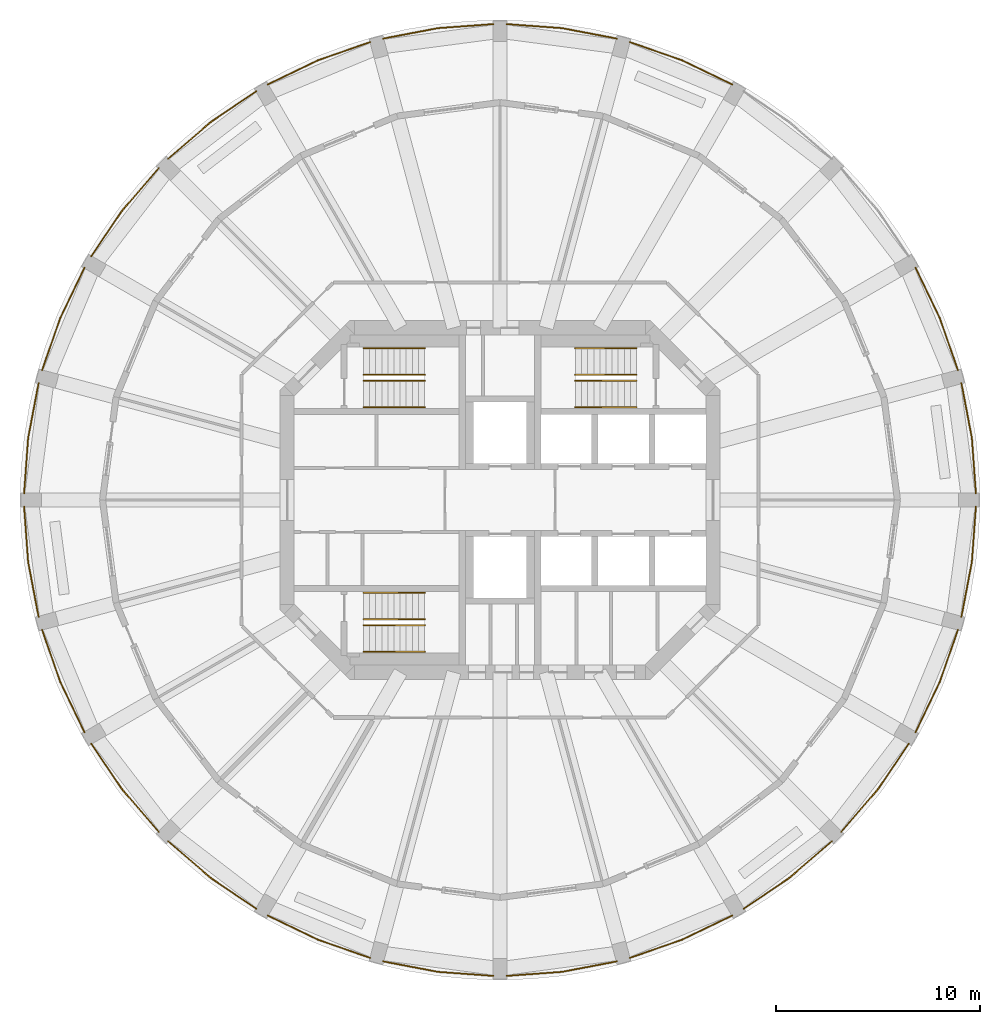
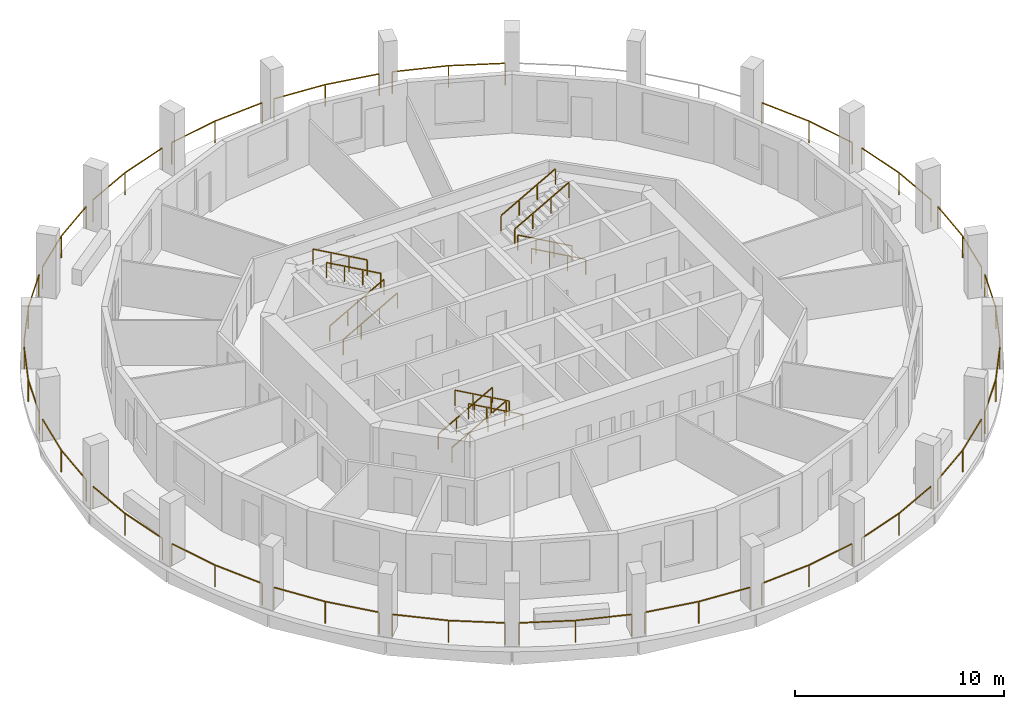
# One storey, part 8 of 9: 34 railings.
"""IFC4 building model written with IfcOpenShell, lengths in metres."""

from ifc_helpers import new_model, si_unit, direction, frame, origin, origin_2d, place, context, subcontext, project, spatial, rectangle, extrude, material, type_object, element, save


model = new_model("IFC4")

# Units and contexts
model_context = context("Model", 3, precision=1e-05, world=origin(), true_north=direction((0.0, 1.0)))
body_context = subcontext(model_context, "Body", "Model", "MODEL_VIEW")
ifc_project = project(units=[si_unit("LENGTHUNIT", "METRE"), si_unit("AREAUNIT", "SQUARE_METRE"), si_unit("VOLUMEUNIT", "CUBIC_METRE"), si_unit("PLANEANGLEUNIT", "RADIAN"), si_unit("MASSUNIT", "GRAM", prefix="KILO")], contexts=[model_context])

# Site, building, storey
site_placement = place(None, origin())
site = spatial("IfcSite", under=ifc_project, at=site_placement, CompositionType="ELEMENT")
building_placement = place(site_placement, origin())
building = spatial("IfcBuilding", under=site, at=building_placement, Name="Torre Triforio", CompositionType="ELEMENT")
storey_placement = place(building_placement, frame((0.0, 0.0, 211.300048828125)))
storey = spatial("IfcBuildingStorey", under=building, at=storey_placement, Name="L48", CompositionType="ELEMENT", Elevation=211.300048828125)

# Railings
ifc_material = material(Name="Stainless steel AISI 316", Category="steel")
railing_type_1 = type_object("IfcRailingType", Name="HANDRAIL 920", PredefinedType="HANDRAIL", material=ifc_material)
for number, where, name in (
    (1, (-6.699951171875, 4.550048828125, 0.168212890625), "Handrail ST1"),
    (2, (-6.699951171875, 5.85009765625, 0.168212890625), "Handrail ST1"),
):
    element("IfcRailing", number, at=place(storey_placement, frame(where)), inside=storey, type_object=railing_type_1, Name=name, PredefinedType="HANDRAIL", context=body_context, shape_type="SweptSolid", body=[
        extrude(rectangle(XDim=0.048095703125, YDim=0.048095703125, at=origin_2d()), frame((0.0, 0.0, 0.89599609375), z_axis=(0.872302573547, 0.0, 0.488966481656), x_axis=(0.0, 1.0, 0.0)), (0.0, 0.0, 1.0), 3.439208984375),
        extrude(rectangle(XDim=0.0419921875, YDim=0.0419921875, at=origin_2d()), origin(), (0.0, 0.0, 1.0), 0.871826171875),
        extrude(rectangle(XDim=0.0419921875, YDim=0.0419921875, at=origin_2d()), frame((1.0, 0.0, 0.560546875)), (0.0, 0.0, 1.0), 0.871826171875),
        extrude(rectangle(XDim=0.0419921875, YDim=0.0419921875, at=origin_2d()), frame((2.0, 0.0, 1.12109375)), (0.0, 0.0, 1.0), 0.871826171875),
        extrude(rectangle(XDim=0.0419921875, YDim=0.0419921875, at=origin_2d()), frame((3.0, 0.0, 1.681640625)), (0.0, 0.0, 1.0), 0.871826171875),
    ])
for number, where, name in (
    (3, (-3.699951171875, 7.449951171875, 2.01806640625), "Handrail ST1"),
    (4, (-3.699951171875, 6.14990234375, 2.01806640625), "Handrail ST1"),
):
    element("IfcRailing", number, at=place(storey_placement, frame(where)), inside=storey, type_object=railing_type_1, Name=name, PredefinedType="HANDRAIL", context=body_context, shape_type="SweptSolid", body=[
        extrude(rectangle(XDim=0.048095703125, YDim=0.048095703125, at=origin_2d()), frame((0.0, 0.0, 0.89599609375), z_axis=(-0.872272294576, 0.0, 0.489020494575), x_axis=(0.0, -1.0, 0.0)), (0.0, 0.0, 1.0), 3.439208984375),
        extrude(rectangle(XDim=0.0419921875, YDim=0.0419921875, at=origin_2d()), origin(), (0.0, 0.0, 1.0), 0.871826171875),
        extrude(rectangle(XDim=0.0419921875, YDim=0.0419921875, at=origin_2d()), frame((-1.0, 0.0, 0.560546875)), (0.0, 0.0, 1.0), 0.871826171875),
        extrude(rectangle(XDim=0.0419921875, YDim=0.0419921875, at=origin_2d()), frame((-2.0, 0.0, 1.121337890625)), (0.0, 0.0, 1.0), 0.871826171875),
        extrude(rectangle(XDim=0.0419921875, YDim=0.0419921875, at=origin_2d()), frame((-3.0, 0.0, 1.681884765625)), (0.0, 0.0, 1.0), 0.871826171875),
    ])
for number, where, name in (
    (5, (6.699951171875, 4.550048828125, 0.168212890625), "Handrail ST2"),
    (6, (6.699951171875, 5.85009765625, 0.168212890625), "Handrail ST2"),
):
    element("IfcRailing", number, at=place(storey_placement, frame(where)), inside=storey, type_object=railing_type_1, Name=name, PredefinedType="HANDRAIL", context=body_context, shape_type="SweptSolid", body=[
        extrude(rectangle(XDim=0.048095703125, YDim=0.048095703125, at=origin_2d()), frame((0.0, 0.0, 0.89599609375), z_axis=(-0.872302573547, 0.0, 0.488966481656), x_axis=(0.0, -1.0, 0.0)), (0.0, 0.0, 1.0), 3.439208984375),
        extrude(rectangle(XDim=0.0419921875, YDim=0.0419921875, at=origin_2d()), origin(), (0.0, 0.0, 1.0), 0.871826171875),
        extrude(rectangle(XDim=0.0419921875, YDim=0.0419921875, at=origin_2d()), frame((-1.0, 0.0, 0.560546875)), (0.0, 0.0, 1.0), 0.871826171875),
        extrude(rectangle(XDim=0.0419921875, YDim=0.0419921875, at=origin_2d()), frame((-2.0, 0.0, 1.12109375)), (0.0, 0.0, 1.0), 0.871826171875),
        extrude(rectangle(XDim=0.0419921875, YDim=0.0419921875, at=origin_2d()), frame((-3.0, 0.0, 1.681640625)), (0.0, 0.0, 1.0), 0.871826171875),
    ])
for number, where, name in (
    (7, (3.699951171875, 7.449951171875, 2.01806640625), "Handrail ST2"),
    (8, (3.699951171875, 6.14990234375, 2.01806640625), "Handrail ST2"),
):
    element("IfcRailing", number, at=place(storey_placement, frame(where)), inside=storey, type_object=railing_type_1, Name=name, PredefinedType="HANDRAIL", context=body_context, shape_type="SweptSolid", body=[
        extrude(rectangle(XDim=0.048095703125, YDim=0.048095703125, at=origin_2d()), frame((0.0, 0.0, 0.89599609375), z_axis=(0.872272294576, 0.0, 0.489020494575), x_axis=(0.0, 1.0, 0.0)), (0.0, 0.0, 1.0), 3.439208984375),
        extrude(rectangle(XDim=0.0419921875, YDim=0.0419921875, at=origin_2d()), origin(), (0.0, 0.0, 1.0), 0.871826171875),
        extrude(rectangle(XDim=0.0419921875, YDim=0.0419921875, at=origin_2d()), frame((1.0, 0.0, 0.560546875)), (0.0, 0.0, 1.0), 0.871826171875),
        extrude(rectangle(XDim=0.0419921875, YDim=0.0419921875, at=origin_2d()), frame((2.0, 0.0, 1.121337890625)), (0.0, 0.0, 1.0), 0.871826171875),
        extrude(rectangle(XDim=0.0419921875, YDim=0.0419921875, at=origin_2d()), frame((3.0, 0.0, 1.681884765625)), (0.0, 0.0, 1.0), 0.871826171875),
    ])
for number, where, name in (
    (9, (-6.699951171875, -4.550048828125, 0.168212890625), "Handrail ST3"),
    (10, (-6.699951171875, -5.85009765625, 0.168212890625), "Handrail ST3"),
):
    element("IfcRailing", number, at=place(storey_placement, frame(where)), inside=storey, type_object=railing_type_1, Name=name, PredefinedType="HANDRAIL", context=body_context, shape_type="SweptSolid", body=[
        extrude(rectangle(XDim=0.048095703125, YDim=0.048095703125, at=origin_2d()), frame((0.0, 0.0, 0.89599609375), z_axis=(0.872302573547, 0.0, 0.488966481656), x_axis=(0.0, 1.0, 0.0)), (0.0, 0.0, 1.0), 3.439208984375),
        extrude(rectangle(XDim=0.0419921875, YDim=0.0419921875, at=origin_2d()), origin(), (0.0, 0.0, 1.0), 0.871826171875),
        extrude(rectangle(XDim=0.0419921875, YDim=0.0419921875, at=origin_2d()), frame((1.0, 0.0, 0.560546875)), (0.0, 0.0, 1.0), 0.871826171875),
        extrude(rectangle(XDim=0.0419921875, YDim=0.0419921875, at=origin_2d()), frame((2.0, 0.0, 1.12109375)), (0.0, 0.0, 1.0), 0.871826171875),
        extrude(rectangle(XDim=0.0419921875, YDim=0.0419921875, at=origin_2d()), frame((3.0, 0.0, 1.681640625)), (0.0, 0.0, 1.0), 0.871826171875),
    ])
for number, where, name in (
    (11, (-3.699951171875, -7.449951171875, 2.01806640625), "Handrail ST3"),
    (12, (-3.699951171875, -6.14990234375, 2.01806640625), "Handrail ST3"),
):
    element("IfcRailing", number, at=place(storey_placement, frame(where)), inside=storey, type_object=railing_type_1, Name=name, PredefinedType="HANDRAIL", context=body_context, shape_type="SweptSolid", body=[
        extrude(rectangle(XDim=0.048095703125, YDim=0.048095703125, at=origin_2d()), frame((0.0, 0.0, 0.89599609375), z_axis=(-0.872272294576, 0.0, 0.489020494575), x_axis=(0.0, -1.0, 0.0)), (0.0, 0.0, 1.0), 3.439208984375),
        extrude(rectangle(XDim=0.0419921875, YDim=0.0419921875, at=origin_2d()), origin(), (0.0, 0.0, 1.0), 0.871826171875),
        extrude(rectangle(XDim=0.0419921875, YDim=0.0419921875, at=origin_2d()), frame((-1.0, 0.0, 0.560546875)), (0.0, 0.0, 1.0), 0.871826171875),
        extrude(rectangle(XDim=0.0419921875, YDim=0.0419921875, at=origin_2d()), frame((-2.0, 0.0, 1.121337890625)), (0.0, 0.0, 1.0), 0.871826171875),
        extrude(rectangle(XDim=0.0419921875, YDim=0.0419921875, at=origin_2d()), frame((-3.0, 0.0, 1.681884765625)), (0.0, 0.0, 1.0), 0.871826171875),
    ])
railing_type_2 = type_object("IfcRailingType", Name="Loggia guard 1300", PredefinedType="GUARDRAIL", material=ifc_material)
railing_1_placement = place(storey_placement, frame((23.35009765625, 0.320068359375, 0.0)))
element("IfcRailing", 13, at=railing_1_placement, inside=storey, type_object=railing_type_2, Name="Loggia guard L48 bay 01", PredefinedType="GUARDRAIL", context=body_context, shape_type="SweptSolid", body=[
    extrude(rectangle(XDim=0.050048828125, YDim=0.050048828125, at=origin_2d()), frame((0.0, 0.0, 1.27490234375), z_axis=(-0.073105569346, 0.997324207934, 0.0), x_axis=(-0.997324207934, -0.073105569346, 0.0)), (0.0, 0.0, 1.0), 2.735107421875),
    extrude(rectangle(XDim=0.050048828125, YDim=0.050048828125, at=origin_2d()), frame((-0.199951171875, 2.727783203125, 1.27490234375), z_axis=(-0.187542781797, 0.982256435457, 0.0), x_axis=(-0.982256435457, -0.187542781797, 0.0)), (0.0, 0.0, 1.0), 2.735107421875),
    extrude(rectangle(XDim=0.0400390625, YDim=0.0400390625, at=origin_2d()), origin(), (0.0, 0.0, 1.0), 1.25),
    extrude(rectangle(XDim=0.0400390625, YDim=0.0400390625, at=origin_2d()), frame((-0.199951171875, 2.727783203125, 0.0)), (0.0, 0.0, 1.0), 1.25),
    extrude(rectangle(XDim=0.0400390625, YDim=0.0400390625, at=origin_2d()), frame((-0.712890625, 5.414306640625, 0.0)), (0.0, 0.0, 1.0), 1.25),
])
railing_2_placement = place(storey_placement, frame((22.471435546875, 6.3525390625, 0.0)))
element("IfcRailing", 14, at=railing_2_placement, inside=storey, type_object=railing_type_2, Name="Loggia guard L48 bay 02", PredefinedType="GUARDRAIL", context=body_context, shape_type="SweptSolid", body=[
    extrude(rectangle(XDim=0.050048828125, YDim=0.050048828125, at=origin_2d()), frame((0.0, 0.0, 1.27490234375), z_axis=(-0.328652177394, 0.944451029061, 0.0), x_axis=(-0.944451029061, -0.328652177394, 0.0)), (0.0, 0.0, 1.0), 2.735107421875),
    extrude(rectangle(XDim=0.050048828125, YDim=0.050048828125, at=origin_2d()), frame((-0.89892578125, 2.583251953125, 1.27490234375), z_axis=(-0.435427931096, 0.900223592682, 0.0), x_axis=(-0.900223592682, -0.435427931096, 0.0)), (0.0, 0.0, 1.0), 2.735107421875),
    extrude(rectangle(XDim=0.0400390625, YDim=0.0400390625, at=origin_2d()), origin(), (0.0, 0.0, 1.0), 1.25),
    extrude(rectangle(XDim=0.0400390625, YDim=0.0400390625, at=origin_2d()), frame((-0.89892578125, 2.583251953125, 0.0)), (0.0, 0.0, 1.0), 1.25),
    extrude(rectangle(XDim=0.0400390625, YDim=0.0400390625, at=origin_2d()), frame((-2.08984375, 5.04541015625, 0.0)), (0.0, 0.0, 1.0), 1.25),
])
railing_3_placement = place(storey_placement, frame((11.39794921875, 20.381591796875, 0.0)))
element("IfcRailing", 15, at=railing_3_placement, inside=storey, type_object=railing_type_2, Name="Loggia guard L48 bay 05", PredefinedType="GUARDRAIL", context=body_context, shape_type="SweptSolid", body=[
    extrude(rectangle(XDim=0.050048828125, YDim=0.050048828125, at=origin_2d()), frame((0.0, 0.0, 1.27490234375), z_axis=(-0.900223592682, 0.435427931096, 0.0), x_axis=(-0.435427931096, -0.900223592682, 0.0)), (0.0, 0.0, 1.0), 2.735107421875),
    extrude(rectangle(XDim=0.050048828125, YDim=0.050048828125, at=origin_2d()), frame((-2.462158203125, 1.19091796875, 1.27490234375), z_axis=(-0.944451029061, 0.328652177394, 0.0), x_axis=(-0.328652177394, -0.944451029061, 0.0)), (0.0, 0.0, 1.0), 2.735107421875),
    extrude(rectangle(XDim=0.0400390625, YDim=0.0400390625, at=origin_2d()), origin(), (0.0, 0.0, 1.0), 1.25),
    extrude(rectangle(XDim=0.0400390625, YDim=0.0400390625, at=origin_2d()), frame((-2.462158203125, 1.19091796875, 0.0)), (0.0, 0.0, 1.0), 1.25),
    extrude(rectangle(XDim=0.0400390625, YDim=0.0400390625, at=origin_2d()), frame((-5.04541015625, 2.08984375, 0.0)), (0.0, 0.0, 1.0), 1.25),
])
railing_4_placement = place(storey_placement, frame((5.734375, 22.63720703125, 0.0)))
element("IfcRailing", 16, at=railing_4_placement, inside=storey, type_object=railing_type_2, Name="Loggia guard L48 bay 06", PredefinedType="GUARDRAIL", context=body_context, shape_type="SweptSolid", body=[
    extrude(rectangle(XDim=0.050048828125, YDim=0.050048828125, at=origin_2d()), frame((0.0, 0.0, 1.27490234375), z_axis=(-0.982256435457, 0.187542781797, 0.0), x_axis=(-0.187542781797, -0.982256435457, 0.0)), (0.0, 0.0, 1.0), 2.735107421875),
    extrude(rectangle(XDim=0.050048828125, YDim=0.050048828125, at=origin_2d()), frame((-2.6865234375, 0.512939453125, 1.27490234375), z_axis=(-0.997324207934, 0.073105569346, 0.0), x_axis=(-0.073105569346, -0.997324207934, 0.0)), (0.0, 0.0, 1.0), 2.735107421875),
    extrude(rectangle(XDim=0.0400390625, YDim=0.0400390625, at=origin_2d()), origin(), (0.0, 0.0, 1.0), 1.25),
    extrude(rectangle(XDim=0.0400390625, YDim=0.0400390625, at=origin_2d()), frame((-2.6865234375, 0.512939453125, 0.0)), (0.0, 0.0, 1.0), 1.25),
    extrude(rectangle(XDim=0.0400390625, YDim=0.0400390625, at=origin_2d()), frame((-5.414306640625, 0.712890625, 0.0)), (0.0, 0.0, 1.0), 1.25),
])
railing_5_placement = place(storey_placement, frame((-0.320068359375, 23.35009765625, 0.0)))
element("IfcRailing", 17, at=railing_5_placement, inside=storey, type_object=railing_type_2, Name="Loggia guard L48 bay 07", PredefinedType="GUARDRAIL", context=body_context, shape_type="SweptSolid", body=[
    extrude(rectangle(XDim=0.050048828125, YDim=0.050048828125, at=origin_2d()), frame((0.0, 0.0, 1.27490234375), z_axis=(-0.997324207934, -0.073105569346, 0.0), x_axis=(0.073105569346, -0.997324207934, 0.0)), (0.0, 0.0, 1.0), 2.735107421875),
    extrude(rectangle(XDim=0.050048828125, YDim=0.050048828125, at=origin_2d()), frame((-2.727783203125, -0.199951171875, 1.27490234375), z_axis=(-0.982256435457, -0.187542781797, 0.0), x_axis=(0.187542781797, -0.982256435457, 0.0)), (0.0, 0.0, 1.0), 2.735107421875),
    extrude(rectangle(XDim=0.0400390625, YDim=0.0400390625, at=origin_2d()), origin(), (0.0, 0.0, 1.0), 1.25),
    extrude(rectangle(XDim=0.0400390625, YDim=0.0400390625, at=origin_2d()), frame((-2.727783203125, -0.199951171875, 0.0)), (0.0, 0.0, 1.0), 1.25),
    extrude(rectangle(XDim=0.0400390625, YDim=0.0400390625, at=origin_2d()), frame((-5.414306640625, -0.712890625, 0.0)), (0.0, 0.0, 1.0), 1.25),
])
railing_6_placement = place(storey_placement, frame((-6.3525390625, 22.471435546875, 0.0)))
element("IfcRailing", 18, at=railing_6_placement, inside=storey, type_object=railing_type_2, Name="Loggia guard L48 bay 08", PredefinedType="GUARDRAIL", context=body_context, shape_type="SweptSolid", body=[
    extrude(rectangle(XDim=0.050048828125, YDim=0.050048828125, at=origin_2d()), frame((0.0, 0.0, 1.27490234375), z_axis=(-0.944451029061, -0.328652177394, 0.0), x_axis=(0.328652177394, -0.944451029061, 0.0)), (0.0, 0.0, 1.0), 2.735107421875),
    extrude(rectangle(XDim=0.050048828125, YDim=0.050048828125, at=origin_2d()), frame((-2.583251953125, -0.89892578125, 1.27490234375), z_axis=(-0.900223592682, -0.435427931096, 0.0), x_axis=(0.435427931096, -0.900223592682, 0.0)), (0.0, 0.0, 1.0), 2.735107421875),
    extrude(rectangle(XDim=0.0400390625, YDim=0.0400390625, at=origin_2d()), origin(), (0.0, 0.0, 1.0), 1.25),
    extrude(rectangle(XDim=0.0400390625, YDim=0.0400390625, at=origin_2d()), frame((-2.583251953125, -0.89892578125, 0.0)), (0.0, 0.0, 1.0), 1.25),
    extrude(rectangle(XDim=0.0400390625, YDim=0.0400390625, at=origin_2d()), frame((-5.04541015625, -2.08984375, 0.0)), (0.0, 0.0, 1.0), 1.25),
])
railing_7_placement = place(storey_placement, frame((-11.9521484375, 20.061767578125, 0.0)))
element("IfcRailing", 19, at=railing_7_placement, inside=storey, type_object=railing_type_2, Name="Loggia guard L48 bay 09", PredefinedType="GUARDRAIL", context=body_context, shape_type="SweptSolid", body=[
    extrude(rectangle(XDim=0.050048828125, YDim=0.050048828125, at=origin_2d()), frame((0.0, 0.0, 1.27490234375), z_axis=(-0.827198686069, -0.561909542334, 0.0), x_axis=(0.561909542334, -0.827198686069, 0.0)), (0.0, 0.0, 1.0), 2.735107421875),
    extrude(rectangle(XDim=0.050048828125, YDim=0.050048828125, at=origin_2d()), frame((-2.262451171875, -1.536865234375, 1.27490234375), z_axis=(-0.756857127214, -0.653580361536, 0.0), x_axis=(0.653580361536, -0.756857127214, 0.0)), (0.0, 0.0, 1.0), 2.735107421875),
    extrude(rectangle(XDim=0.0400390625, YDim=0.0400390625, at=origin_2d()), origin(), (0.0, 0.0, 1.0), 1.25),
    extrude(rectangle(XDim=0.0400390625, YDim=0.0400390625, at=origin_2d()), frame((-2.262451171875, -1.536865234375, 0.0)), (0.0, 0.0, 1.0), 1.25),
    extrude(rectangle(XDim=0.0400390625, YDim=0.0400390625, at=origin_2d()), frame((-4.33251953125, -3.324462890625, 0.0)), (0.0, 0.0, 1.0), 1.25),
])
railing_8_placement = place(storey_placement, frame((-16.7373046875, 16.28466796875, 0.0)))
element("IfcRailing", 20, at=railing_8_placement, inside=storey, type_object=railing_type_2, Name="Loggia guard L48 bay 10", PredefinedType="GUARDRAIL", context=body_context, shape_type="SweptSolid", body=[
    extrude(rectangle(XDim=0.050048828125, YDim=0.050048828125, at=origin_2d()), frame((0.0, 0.0, 1.27490234375), z_axis=(-0.653580361536, -0.756857127214, 0.0), x_axis=(0.756857127214, -0.653580361536, 0.0)), (0.0, 0.0, 1.0), 2.735107421875),
    extrude(rectangle(XDim=0.050048828125, YDim=0.050048828125, at=origin_2d()), frame((-1.78759765625, -2.070068359375, 1.27490234375), z_axis=(-0.561909542334, -0.827198686069, 0.0), x_axis=(0.827198686069, -0.561909542334, 0.0)), (0.0, 0.0, 1.0), 2.735107421875),
    extrude(rectangle(XDim=0.0400390625, YDim=0.0400390625, at=origin_2d()), origin(), (0.0, 0.0, 1.0), 1.25),
    extrude(rectangle(XDim=0.0400390625, YDim=0.0400390625, at=origin_2d()), frame((-1.78759765625, -2.070068359375, 0.0)), (0.0, 0.0, 1.0), 1.25),
    extrude(rectangle(XDim=0.0400390625, YDim=0.0400390625, at=origin_2d()), frame((-3.324462890625, -4.33251953125, 0.0)), (0.0, 0.0, 1.0), 1.25),
])
railing_9_placement = place(storey_placement, frame((-20.381591796875, 11.39794921875, 0.0)))
element("IfcRailing", 21, at=railing_9_placement, inside=storey, type_object=railing_type_2, Name="Loggia guard L48 bay 11", PredefinedType="GUARDRAIL", context=body_context, shape_type="SweptSolid", body=[
    extrude(rectangle(XDim=0.050048828125, YDim=0.050048828125, at=origin_2d()), frame((0.0, 0.0, 1.27490234375), z_axis=(-0.435427931096, -0.900223592682, 0.0), x_axis=(0.900223592682, -0.435427931096, 0.0)), (0.0, 0.0, 1.0), 2.735107421875),
    extrude(rectangle(XDim=0.050048828125, YDim=0.050048828125, at=origin_2d()), frame((-1.19091796875, -2.462158203125, 1.27490234375), z_axis=(-0.328652177394, -0.944451029061, 0.0), x_axis=(0.944451029061, -0.328652177394, 0.0)), (0.0, 0.0, 1.0), 2.735107421875),
    extrude(rectangle(XDim=0.0400390625, YDim=0.0400390625, at=origin_2d()), origin(), (0.0, 0.0, 1.0), 1.25),
    extrude(rectangle(XDim=0.0400390625, YDim=0.0400390625, at=origin_2d()), frame((-1.19091796875, -2.462158203125, 0.0)), (0.0, 0.0, 1.0), 1.25),
    extrude(rectangle(XDim=0.0400390625, YDim=0.0400390625, at=origin_2d()), frame((-2.08984375, -5.04541015625, 0.0)), (0.0, 0.0, 1.0), 1.25),
])
railing_10_placement = place(storey_placement, frame((-22.63720703125, 5.734375, 0.0)))
element("IfcRailing", 22, at=railing_10_placement, inside=storey, type_object=railing_type_2, Name="Loggia guard L48 bay 12", PredefinedType="GUARDRAIL", context=body_context, shape_type="SweptSolid", body=[
    extrude(rectangle(XDim=0.050048828125, YDim=0.050048828125, at=origin_2d()), frame((0.0, 0.0, 1.27490234375), z_axis=(-0.187542781797, -0.982256435457, 0.0), x_axis=(0.982256435457, -0.187542781797, 0.0)), (0.0, 0.0, 1.0), 2.735107421875),
    extrude(rectangle(XDim=0.050048828125, YDim=0.050048828125, at=origin_2d()), frame((-0.512939453125, -2.6865234375, 1.27490234375), z_axis=(-0.073105569346, -0.997324207934, 0.0), x_axis=(0.997324207934, -0.073105569346, 0.0)), (0.0, 0.0, 1.0), 2.735107421875),
    extrude(rectangle(XDim=0.0400390625, YDim=0.0400390625, at=origin_2d()), origin(), (0.0, 0.0, 1.0), 1.25),
    extrude(rectangle(XDim=0.0400390625, YDim=0.0400390625, at=origin_2d()), frame((-0.512939453125, -2.6865234375, 0.0)), (0.0, 0.0, 1.0), 1.25),
    extrude(rectangle(XDim=0.0400390625, YDim=0.0400390625, at=origin_2d()), frame((-0.712890625, -5.414306640625, 0.0)), (0.0, 0.0, 1.0), 1.25),
])
railing_11_placement = place(storey_placement, frame((-23.35009765625, -0.320068359375, 0.0)))
element("IfcRailing", 23, at=railing_11_placement, inside=storey, type_object=railing_type_2, Name="Loggia guard L48 bay 13", PredefinedType="GUARDRAIL", context=body_context, shape_type="SweptSolid", body=[
    extrude(rectangle(XDim=0.050048828125, YDim=0.050048828125, at=origin_2d()), frame((0.0, 0.0, 1.27490234375), z_axis=(0.073105569346, -0.997324207934, 0.0), x_axis=(0.997324207934, 0.073105569346, 0.0)), (0.0, 0.0, 1.0), 2.735107421875),
    extrude(rectangle(XDim=0.050048828125, YDim=0.050048828125, at=origin_2d()), frame((0.199951171875, -2.727783203125, 1.27490234375), z_axis=(0.187542781797, -0.982256435457, 0.0), x_axis=(0.982256435457, 0.187542781797, 0.0)), (0.0, 0.0, 1.0), 2.735107421875),
    extrude(rectangle(XDim=0.0400390625, YDim=0.0400390625, at=origin_2d()), origin(), (0.0, 0.0, 1.0), 1.25),
    extrude(rectangle(XDim=0.0400390625, YDim=0.0400390625, at=origin_2d()), frame((0.199951171875, -2.727783203125, 0.0)), (0.0, 0.0, 1.0), 1.25),
    extrude(rectangle(XDim=0.0400390625, YDim=0.0400390625, at=origin_2d()), frame((0.712890625, -5.414306640625, 0.0)), (0.0, 0.0, 1.0), 1.25),
])
railing_12_placement = place(storey_placement, frame((-22.471435546875, -6.3525390625, 0.0)))
element("IfcRailing", 24, at=railing_12_placement, inside=storey, type_object=railing_type_2, Name="Loggia guard L48 bay 14", PredefinedType="GUARDRAIL", context=body_context, shape_type="SweptSolid", body=[
    extrude(rectangle(XDim=0.050048828125, YDim=0.050048828125, at=origin_2d()), frame((0.0, 0.0, 1.27490234375), z_axis=(0.328652177394, -0.944451029061, 0.0), x_axis=(0.944451029061, 0.328652177394, 0.0)), (0.0, 0.0, 1.0), 2.735107421875),
    extrude(rectangle(XDim=0.050048828125, YDim=0.050048828125, at=origin_2d()), frame((0.89892578125, -2.583251953125, 1.27490234375), z_axis=(0.435427931096, -0.900223592682, 0.0), x_axis=(0.900223592682, 0.435427931096, 0.0)), (0.0, 0.0, 1.0), 2.735107421875),
    extrude(rectangle(XDim=0.0400390625, YDim=0.0400390625, at=origin_2d()), origin(), (0.0, 0.0, 1.0), 1.25),
    extrude(rectangle(XDim=0.0400390625, YDim=0.0400390625, at=origin_2d()), frame((0.89892578125, -2.583251953125, 0.0)), (0.0, 0.0, 1.0), 1.25),
    extrude(rectangle(XDim=0.0400390625, YDim=0.0400390625, at=origin_2d()), frame((2.08984375, -5.04541015625, 0.0)), (0.0, 0.0, 1.0), 1.25),
])
railing_13_placement = place(storey_placement, frame((-20.061767578125, -11.9521484375, 0.0)))
element("IfcRailing", 25, at=railing_13_placement, inside=storey, type_object=railing_type_2, Name="Loggia guard L48 bay 15", PredefinedType="GUARDRAIL", context=body_context, shape_type="SweptSolid", body=[
    extrude(rectangle(XDim=0.050048828125, YDim=0.050048828125, at=origin_2d()), frame((0.0, 0.0, 1.27490234375), z_axis=(0.561909542334, -0.827198686069, 0.0), x_axis=(0.827198686069, 0.561909542334, 0.0)), (0.0, 0.0, 1.0), 2.735107421875),
    extrude(rectangle(XDim=0.050048828125, YDim=0.050048828125, at=origin_2d()), frame((1.536865234375, -2.262451171875, 1.27490234375), z_axis=(0.653580361536, -0.756857127214, 0.0), x_axis=(0.756857127214, 0.653580361536, 0.0)), (0.0, 0.0, 1.0), 2.735107421875),
    extrude(rectangle(XDim=0.0400390625, YDim=0.0400390625, at=origin_2d()), origin(), (0.0, 0.0, 1.0), 1.25),
    extrude(rectangle(XDim=0.0400390625, YDim=0.0400390625, at=origin_2d()), frame((1.536865234375, -2.262451171875, 0.0)), (0.0, 0.0, 1.0), 1.25),
    extrude(rectangle(XDim=0.0400390625, YDim=0.0400390625, at=origin_2d()), frame((3.324462890625, -4.33251953125, 0.0)), (0.0, 0.0, 1.0), 1.25),
])
railing_14_placement = place(storey_placement, frame((-16.28466796875, -16.7373046875, 0.0)))
element("IfcRailing", 26, at=railing_14_placement, inside=storey, type_object=railing_type_2, Name="Loggia guard L48 bay 16", PredefinedType="GUARDRAIL", context=body_context, shape_type="SweptSolid", body=[
    extrude(rectangle(XDim=0.050048828125, YDim=0.050048828125, at=origin_2d()), frame((0.0, 0.0, 1.27490234375), z_axis=(0.756857127214, -0.653580361536, 0.0), x_axis=(0.653580361536, 0.756857127214, 0.0)), (0.0, 0.0, 1.0), 2.735107421875),
    extrude(rectangle(XDim=0.050048828125, YDim=0.050048828125, at=origin_2d()), frame((2.070068359375, -1.78759765625, 1.27490234375), z_axis=(0.827198686069, -0.561909542334, 0.0), x_axis=(0.561909542334, 0.827198686069, 0.0)), (0.0, 0.0, 1.0), 2.735107421875),
    extrude(rectangle(XDim=0.0400390625, YDim=0.0400390625, at=origin_2d()), origin(), (0.0, 0.0, 1.0), 1.25),
    extrude(rectangle(XDim=0.0400390625, YDim=0.0400390625, at=origin_2d()), frame((2.070068359375, -1.78759765625, 0.0)), (0.0, 0.0, 1.0), 1.25),
    extrude(rectangle(XDim=0.0400390625, YDim=0.0400390625, at=origin_2d()), frame((4.33251953125, -3.324462890625, 0.0)), (0.0, 0.0, 1.0), 1.25),
])
railing_15_placement = place(storey_placement, frame((-11.39794921875, -20.381591796875, 0.0)))
element("IfcRailing", 27, at=railing_15_placement, inside=storey, type_object=railing_type_2, Name="Loggia guard L48 bay 17", PredefinedType="GUARDRAIL", context=body_context, shape_type="SweptSolid", body=[
    extrude(rectangle(XDim=0.050048828125, YDim=0.050048828125, at=origin_2d()), frame((0.0, 0.0, 1.27490234375), z_axis=(0.900223592682, -0.435427931096, 0.0), x_axis=(0.435427931096, 0.900223592682, 0.0)), (0.0, 0.0, 1.0), 2.735107421875),
    extrude(rectangle(XDim=0.050048828125, YDim=0.050048828125, at=origin_2d()), frame((2.462158203125, -1.19091796875, 1.27490234375), z_axis=(0.944451029061, -0.328652177394, 0.0), x_axis=(0.328652177394, 0.944451029061, 0.0)), (0.0, 0.0, 1.0), 2.735107421875),
    extrude(rectangle(XDim=0.0400390625, YDim=0.0400390625, at=origin_2d()), origin(), (0.0, 0.0, 1.0), 1.25),
    extrude(rectangle(XDim=0.0400390625, YDim=0.0400390625, at=origin_2d()), frame((2.462158203125, -1.19091796875, 0.0)), (0.0, 0.0, 1.0), 1.25),
    extrude(rectangle(XDim=0.0400390625, YDim=0.0400390625, at=origin_2d()), frame((5.04541015625, -2.08984375, 0.0)), (0.0, 0.0, 1.0), 1.25),
])
railing_16_placement = place(storey_placement, frame((-5.734375, -22.63720703125, 0.0)))
element("IfcRailing", 28, at=railing_16_placement, inside=storey, type_object=railing_type_2, Name="Loggia guard L48 bay 18", PredefinedType="GUARDRAIL", context=body_context, shape_type="SweptSolid", body=[
    extrude(rectangle(XDim=0.050048828125, YDim=0.050048828125, at=origin_2d()), frame((0.0, 0.0, 1.27490234375), z_axis=(0.982256435457, -0.187542781797, 0.0), x_axis=(0.187542781797, 0.982256435457, 0.0)), (0.0, 0.0, 1.0), 2.735107421875),
    extrude(rectangle(XDim=0.050048828125, YDim=0.050048828125, at=origin_2d()), frame((2.6865234375, -0.512939453125, 1.27490234375), z_axis=(0.997324207934, -0.073105569346, 0.0), x_axis=(0.073105569346, 0.997324207934, 0.0)), (0.0, 0.0, 1.0), 2.735107421875),
    extrude(rectangle(XDim=0.0400390625, YDim=0.0400390625, at=origin_2d()), origin(), (0.0, 0.0, 1.0), 1.25),
    extrude(rectangle(XDim=0.0400390625, YDim=0.0400390625, at=origin_2d()), frame((2.6865234375, -0.512939453125, 0.0)), (0.0, 0.0, 1.0), 1.25),
    extrude(rectangle(XDim=0.0400390625, YDim=0.0400390625, at=origin_2d()), frame((5.414306640625, -0.712890625, 0.0)), (0.0, 0.0, 1.0), 1.25),
])
railing_17_placement = place(storey_placement, frame((0.320068359375, -23.35009765625, 0.0)))
element("IfcRailing", 29, at=railing_17_placement, inside=storey, type_object=railing_type_2, Name="Loggia guard L48 bay 19", PredefinedType="GUARDRAIL", context=body_context, shape_type="SweptSolid", body=[
    extrude(rectangle(XDim=0.050048828125, YDim=0.050048828125, at=origin_2d()), frame((0.0, 0.0, 1.27490234375), z_axis=(0.997324207934, 0.073105569346, 0.0), x_axis=(-0.073105569346, 0.997324207934, 0.0)), (0.0, 0.0, 1.0), 2.735107421875),
    extrude(rectangle(XDim=0.050048828125, YDim=0.050048828125, at=origin_2d()), frame((2.727783203125, 0.199951171875, 1.27490234375), z_axis=(0.982256435457, 0.187542781797, 0.0), x_axis=(-0.187542781797, 0.982256435457, 0.0)), (0.0, 0.0, 1.0), 2.735107421875),
    extrude(rectangle(XDim=0.0400390625, YDim=0.0400390625, at=origin_2d()), origin(), (0.0, 0.0, 1.0), 1.25),
    extrude(rectangle(XDim=0.0400390625, YDim=0.0400390625, at=origin_2d()), frame((2.727783203125, 0.199951171875, 0.0)), (0.0, 0.0, 1.0), 1.25),
    extrude(rectangle(XDim=0.0400390625, YDim=0.0400390625, at=origin_2d()), frame((5.414306640625, 0.712890625, 0.0)), (0.0, 0.0, 1.0), 1.25),
])
railing_18_placement = place(storey_placement, frame((6.3525390625, -22.471435546875, 0.0)))
element("IfcRailing", 30, at=railing_18_placement, inside=storey, type_object=railing_type_2, Name="Loggia guard L48 bay 20", PredefinedType="GUARDRAIL", context=body_context, shape_type="SweptSolid", body=[
    extrude(rectangle(XDim=0.050048828125, YDim=0.050048828125, at=origin_2d()), frame((0.0, 0.0, 1.27490234375), z_axis=(0.944451029061, 0.328652177394, 0.0), x_axis=(-0.328652177394, 0.944451029061, 0.0)), (0.0, 0.0, 1.0), 2.735107421875),
    extrude(rectangle(XDim=0.050048828125, YDim=0.050048828125, at=origin_2d()), frame((2.583251953125, 0.89892578125, 1.27490234375), z_axis=(0.900223592682, 0.435427931096, 0.0), x_axis=(-0.435427931096, 0.900223592682, 0.0)), (0.0, 0.0, 1.0), 2.735107421875),
    extrude(rectangle(XDim=0.0400390625, YDim=0.0400390625, at=origin_2d()), origin(), (0.0, 0.0, 1.0), 1.25),
    extrude(rectangle(XDim=0.0400390625, YDim=0.0400390625, at=origin_2d()), frame((2.583251953125, 0.89892578125, 0.0)), (0.0, 0.0, 1.0), 1.25),
    extrude(rectangle(XDim=0.0400390625, YDim=0.0400390625, at=origin_2d()), frame((5.04541015625, 2.08984375, 0.0)), (0.0, 0.0, 1.0), 1.25),
])
railing_19_placement = place(storey_placement, frame((11.9521484375, -20.061767578125, 0.0)))
element("IfcRailing", 31, at=railing_19_placement, inside=storey, type_object=railing_type_2, Name="Loggia guard L48 bay 21", PredefinedType="GUARDRAIL", context=body_context, shape_type="SweptSolid", body=[
    extrude(rectangle(XDim=0.050048828125, YDim=0.050048828125, at=origin_2d()), frame((0.0, 0.0, 1.27490234375), z_axis=(0.827198686069, 0.561909542334, 0.0), x_axis=(-0.561909542334, 0.827198686069, 0.0)), (0.0, 0.0, 1.0), 2.735107421875),
    extrude(rectangle(XDim=0.050048828125, YDim=0.050048828125, at=origin_2d()), frame((2.262451171875, 1.536865234375, 1.27490234375), z_axis=(0.756857127214, 0.653580361536, 0.0), x_axis=(-0.653580361536, 0.756857127214, 0.0)), (0.0, 0.0, 1.0), 2.735107421875),
    extrude(rectangle(XDim=0.0400390625, YDim=0.0400390625, at=origin_2d()), origin(), (0.0, 0.0, 1.0), 1.25),
    extrude(rectangle(XDim=0.0400390625, YDim=0.0400390625, at=origin_2d()), frame((2.262451171875, 1.536865234375, 0.0)), (0.0, 0.0, 1.0), 1.25),
    extrude(rectangle(XDim=0.0400390625, YDim=0.0400390625, at=origin_2d()), frame((4.33251953125, 3.324462890625, 0.0)), (0.0, 0.0, 1.0), 1.25),
])
railing_20_placement = place(storey_placement, frame((16.7373046875, -16.28466796875, 0.0)))
element("IfcRailing", 32, at=railing_20_placement, inside=storey, type_object=railing_type_2, Name="Loggia guard L48 bay 22", PredefinedType="GUARDRAIL", context=body_context, shape_type="SweptSolid", body=[
    extrude(rectangle(XDim=0.050048828125, YDim=0.050048828125, at=origin_2d()), frame((0.0, 0.0, 1.27490234375), z_axis=(0.653580361536, 0.756857127214, 0.0), x_axis=(-0.756857127214, 0.653580361536, 0.0)), (0.0, 0.0, 1.0), 2.735107421875),
    extrude(rectangle(XDim=0.050048828125, YDim=0.050048828125, at=origin_2d()), frame((1.78759765625, 2.070068359375, 1.27490234375), z_axis=(0.561909542334, 0.827198686069, 0.0), x_axis=(-0.827198686069, 0.561909542334, 0.0)), (0.0, 0.0, 1.0), 2.735107421875),
    extrude(rectangle(XDim=0.0400390625, YDim=0.0400390625, at=origin_2d()), origin(), (0.0, 0.0, 1.0), 1.25),
    extrude(rectangle(XDim=0.0400390625, YDim=0.0400390625, at=origin_2d()), frame((1.78759765625, 2.070068359375, 0.0)), (0.0, 0.0, 1.0), 1.25),
    extrude(rectangle(XDim=0.0400390625, YDim=0.0400390625, at=origin_2d()), frame((3.324462890625, 4.33251953125, 0.0)), (0.0, 0.0, 1.0), 1.25),
])
railing_21_placement = place(storey_placement, frame((20.381591796875, -11.39794921875, 0.0)))
element("IfcRailing", 33, at=railing_21_placement, inside=storey, type_object=railing_type_2, Name="Loggia guard L48 bay 23", PredefinedType="GUARDRAIL", context=body_context, shape_type="SweptSolid", body=[
    extrude(rectangle(XDim=0.050048828125, YDim=0.050048828125, at=origin_2d()), frame((0.0, 0.0, 1.27490234375), z_axis=(0.435427931096, 0.900223592682, 0.0), x_axis=(-0.900223592682, 0.435427931096, 0.0)), (0.0, 0.0, 1.0), 2.735107421875),
    extrude(rectangle(XDim=0.050048828125, YDim=0.050048828125, at=origin_2d()), frame((1.19091796875, 2.462158203125, 1.27490234375), z_axis=(0.328652177394, 0.944451029061, 0.0), x_axis=(-0.944451029061, 0.328652177394, 0.0)), (0.0, 0.0, 1.0), 2.735107421875),
    extrude(rectangle(XDim=0.0400390625, YDim=0.0400390625, at=origin_2d()), origin(), (0.0, 0.0, 1.0), 1.25),
    extrude(rectangle(XDim=0.0400390625, YDim=0.0400390625, at=origin_2d()), frame((1.19091796875, 2.462158203125, 0.0)), (0.0, 0.0, 1.0), 1.25),
    extrude(rectangle(XDim=0.0400390625, YDim=0.0400390625, at=origin_2d()), frame((2.08984375, 5.04541015625, 0.0)), (0.0, 0.0, 1.0), 1.25),
])
railing_22_placement = place(storey_placement, frame((22.63720703125, -5.734375, 0.0)))
element("IfcRailing", 34, at=railing_22_placement, inside=storey, type_object=railing_type_2, Name="Loggia guard L48 bay 24", PredefinedType="GUARDRAIL", context=body_context, shape_type="SweptSolid", body=[
    extrude(rectangle(XDim=0.050048828125, YDim=0.050048828125, at=origin_2d()), frame((0.0, 0.0, 1.27490234375), z_axis=(0.187542781797, 0.982256435457, 0.0), x_axis=(-0.982256435457, 0.187542781797, 0.0)), (0.0, 0.0, 1.0), 2.735107421875),
    extrude(rectangle(XDim=0.050048828125, YDim=0.050048828125, at=origin_2d()), frame((0.512939453125, 2.6865234375, 1.27490234375), z_axis=(0.073105569346, 0.997324207934, 0.0), x_axis=(-0.997324207934, 0.073105569346, 0.0)), (0.0, 0.0, 1.0), 2.735107421875),
    extrude(rectangle(XDim=0.0400390625, YDim=0.0400390625, at=origin_2d()), origin(), (0.0, 0.0, 1.0), 1.25),
    extrude(rectangle(XDim=0.0400390625, YDim=0.0400390625, at=origin_2d()), frame((0.512939453125, 2.6865234375, 0.0)), (0.0, 0.0, 1.0), 1.25),
    extrude(rectangle(XDim=0.0400390625, YDim=0.0400390625, at=origin_2d()), frame((0.712890625, 5.414306640625, 0.0)), (0.0, 0.0, 1.0), 1.25),
])

save(model, "model.ifc")
